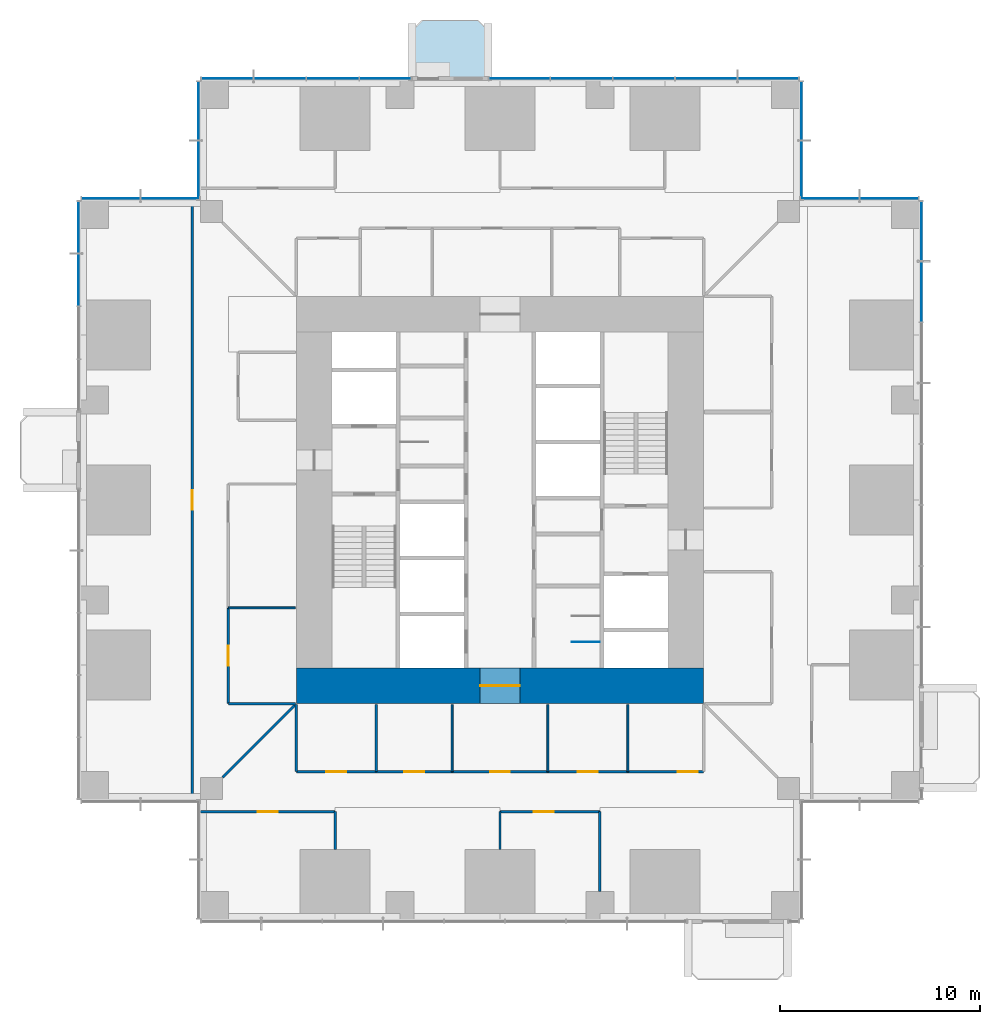
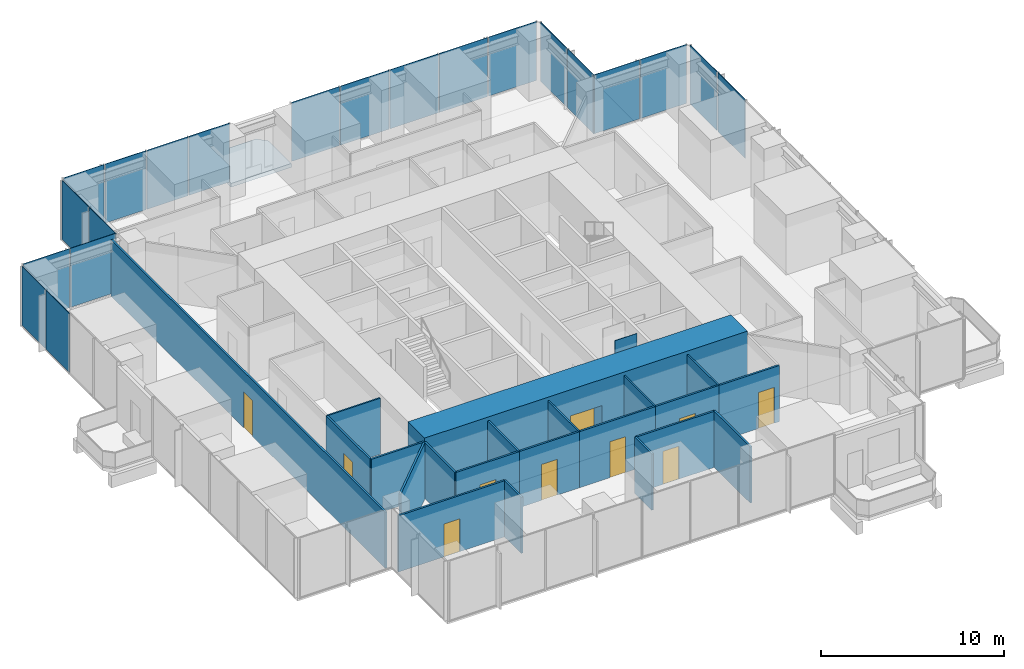
# One storey, part 9 of 15: 22 walls, 21 plates, 10 doors, 1 slab, 10 openings, 8 elements without a shape of their own.
"""IFC4 building model written with IfcOpenShell, lengths in metres."""

from ifc_helpers import new_model, si_unit, direction, frame, frame_2d, origin, origin_2d, place, context, subcontext, project, spatial, polyline, rectangle, outline, extrude, material, layer, layer_set, type_object, element, fill, aggregate, save


model = new_model("IFC4")

# Units and contexts
model_context = context("Model", 3, precision=1e-05, world=origin(), true_north=direction((0.0, 1.0)))
body_context = subcontext(model_context, "Body", "Model", "MODEL_VIEW")
ifc_project = project(units=[si_unit("LENGTHUNIT", "METRE"), si_unit("AREAUNIT", "SQUARE_METRE"), si_unit("VOLUMEUNIT", "CUBIC_METRE"), si_unit("PLANEANGLEUNIT", "RADIAN"), si_unit("MASSUNIT", "GRAM", prefix="KILO")], contexts=[model_context])

# Site, building, storey
site_placement = place(None, origin())
site = spatial("IfcSite", under=ifc_project, at=site_placement, CompositionType="ELEMENT")
building_placement = place(site_placement, origin())
building = spatial("IfcBuilding", under=site, at=building_placement, Name="Svetlomir Tower", CompositionType="ELEMENT")
storey_placement = place(building_placement, frame((0.0, 0.0, 42.5)))
storey = spatial("IfcBuildingStorey", under=building, at=storey_placement, Name="L09", CompositionType="ELEMENT", Elevation=42.5)

# Slab
ifc_material_1 = material(Name="Concrete C60/75", Category="concrete")
ifc_layer_1 = layer(ifc_material_1, 0.25)
ifc_layer_set_1 = layer_set([ifc_layer_1], Name="Concrete C60/75")
slab_type = type_object("IfcSlabType", Name="BALCONY SLAB 250", PredefinedType="FLOOR", material=ifc_layer_set_1)
slab_placement = place(storey_placement, frame((0.0, 0.0, -0.25)))
element("IfcSlab", 1, at=slab_placement, inside=storey, type_object=slab_type, Name="L09 N planted balcony", PredefinedType="FLOOR", context=body_context, shape_type="SweptSolid", body=[
    extrude(outline(polyline([(16.60009765625, 42.0), (20.39990234375, 42.0), (20.39990234375, 44.5), (19.89990234375, 45.0), (17.10009765625, 45.0), (16.60009765625, 44.5), (16.60009765625, 42.0)])), origin(), (0.0, 0.0, 1.0), 0.25),
])

# Curtain wall, plates
ifc_material_2 = material(Name="Bronze anodised aluminium curtain wall", Category="aluminium")
curtain_wall_type = type_object("IfcCurtainWallType", Name="CURTAIN WALL CW1 TOWER OFFICE", PredefinedType="NOTDEFINED", material=ifc_material_2)
curtain_wall_1_placement = place(storey_placement, origin())
curtain_wall_1 = element("IfcCurtainWall", 2, at=curtain_wall_1_placement, inside=storey, type_object=curtain_wall_type, Name="Curtain wall CW1 L09", PredefinedType="NOTDEFINED")
ifc_material_3 = material(Name="Tinted double glazed unit", Category="glass")
ifc_layer_2 = layer(ifc_material_3, 0.031982421875)
ifc_layer_set_2 = layer_set([ifc_layer_2], Name="Tinted double glazed unit")
plate_type = type_object("IfcPlateType", Name="CW1 GLAZED PANEL 32", PredefinedType="CURTAIN_PANEL", material=ifc_layer_set_2)
plate_1_placement = place(storey_placement, frame((42.10009765625, 31.425048828125, 0.06494140625), z_axis=(0.0, 0.0, 1.0), x_axis=(0.0, 1.0, 0.0)))
plate_1 = element("IfcPlate", 3, at=plate_1_placement, type_object=plate_type, Name="CW1 panel 7.1", PredefinedType="CURTAIN_PANEL", context=body_context, shape_type="SweptSolid", body=[
    extrude(rectangle(XDim=2.985107421875, YDim=0.031982421875, at=origin_2d()), origin(), (0.0, 0.0, 1.0), 3.93505859375),
])
plate_2_placement = place(storey_placement, frame((42.10009765625, 34.458740234375, 0.06494140625), z_axis=(0.0, 0.0, 1.0), x_axis=(0.0, 1.0, 0.0)))
plate_2 = element("IfcPlate", 4, at=plate_2_placement, type_object=plate_type, Name="CW1 panel 8.1", PredefinedType="CURTAIN_PANEL", context=body_context, shape_type="SweptSolid", body=[
    extrude(rectangle(XDim=2.952392578125, YDim=0.031982421875, at=origin_2d()), origin(), (0.0, 0.0, 1.0), 3.93505859375),
])
aggregate(curtain_wall_1, [plate_1, plate_2])

curtain_wall_2_placement = place(storey_placement, origin())
curtain_wall_2 = element("IfcCurtainWall", 5, at=curtain_wall_2_placement, inside=storey, type_object=curtain_wall_type, Name="Curtain wall CW1 L09", PredefinedType="NOTDEFINED")
plate_3_placement = place(storey_placement, frame((40.483642578125, 36.10009765625, 0.06494140625), z_axis=(0.0, 0.0, 1.0), x_axis=(-1.0, 0.0, 0.0)))
plate_3 = element("IfcPlate", 6, at=plate_3_placement, type_object=plate_type, Name="CW1 panel 1.1", PredefinedType="CURTAIN_PANEL", context=body_context, shape_type="SweptSolid", body=[
    extrude(rectangle(XDim=2.902587890625, YDim=0.031982421875, at=origin_2d()), origin(), (0.0, 0.0, 1.0), 3.93505859375),
])
plate_4_placement = place(storey_placement, frame((37.516357421875, 36.10009765625, 0.06494140625), z_axis=(0.0, 0.0, 1.0), x_axis=(-1.0, 0.0, 0.0)))
plate_4 = element("IfcPlate", 7, at=plate_4_placement, type_object=plate_type, Name="CW1 panel 2.1", PredefinedType="CURTAIN_PANEL", context=body_context, shape_type="SweptSolid", body=[
    extrude(rectangle(XDim=2.902587890625, YDim=0.031982421875, at=origin_2d()), origin(), (0.0, 0.0, 1.0), 3.93505859375),
])
aggregate(curtain_wall_2, [plate_3, plate_4])

curtain_wall_3_placement = place(storey_placement, origin())
curtain_wall_3 = element("IfcCurtainWall", 8, at=curtain_wall_3_placement, inside=storey, type_object=curtain_wall_type, Name="Curtain wall CW1 L09", PredefinedType="NOTDEFINED")
plate_5_placement = place(storey_placement, frame((36.10009765625, 37.516357421875, 0.06494140625), z_axis=(0.0, 0.0, 1.0), x_axis=(0.0, 1.0, 0.0)))
plate_5 = element("IfcPlate", 9, at=plate_5_placement, type_object=plate_type, Name="CW1 panel 1.1", PredefinedType="CURTAIN_PANEL", context=body_context, shape_type="SweptSolid", body=[
    extrude(rectangle(XDim=2.902587890625, YDim=0.031982421875, at=origin_2d()), origin(), (0.0, 0.0, 1.0), 3.93505859375),
])
plate_6_placement = place(storey_placement, frame((36.10009765625, 40.483642578125, 0.06494140625), z_axis=(0.0, 0.0, 1.0), x_axis=(0.0, 1.0, 0.0)))
plate_6 = element("IfcPlate", 10, at=plate_6_placement, type_object=plate_type, Name="CW1 panel 2.1", PredefinedType="CURTAIN_PANEL", context=body_context, shape_type="SweptSolid", body=[
    extrude(rectangle(XDim=2.902587890625, YDim=0.031982421875, at=origin_2d()), origin(), (0.0, 0.0, 1.0), 3.93505859375),
])
aggregate(curtain_wall_3, [plate_5, plate_6])

curtain_wall_4_placement = place(storey_placement, origin())
curtain_wall_4 = element("IfcCurtainWall", 11, at=curtain_wall_4_placement, inside=storey, type_object=curtain_wall_type, Name="Curtain wall CW1 L09", PredefinedType="NOTDEFINED")
plate_7_placement = place(storey_placement, frame((34.423828125, 42.10009765625, 0.06494140625), z_axis=(0.0, 0.0, 1.0), x_axis=(-1.0, 0.0, 0.0)))
plate_7 = element("IfcPlate", 12, at=plate_7_placement, type_object=plate_type, Name="CW1 panel 1.1", PredefinedType="CURTAIN_PANEL", context=body_context, shape_type="SweptSolid", body=[
    extrude(rectangle(XDim=3.0224609375, YDim=0.031982421875, at=origin_2d()), origin(), (0.0, 0.0, 1.0), 3.93505859375),
])
plate_8_placement = place(storey_placement, frame((31.320068359375, 42.10009765625, 0.06494140625), z_axis=(0.0, 0.0, 1.0), x_axis=(-1.0, 0.0, 0.0)))
plate_8 = element("IfcPlate", 13, at=plate_8_placement, type_object=plate_type, Name="CW1 panel 2.1", PredefinedType="CURTAIN_PANEL", context=body_context, shape_type="SweptSolid", body=[
    extrude(rectangle(XDim=3.054931640625, YDim=0.031982421875, at=origin_2d()), origin(), (0.0, 0.0, 1.0), 3.93505859375),
])
plate_9_placement = place(storey_placement, frame((28.199951171875, 42.10009765625, 0.06494140625), z_axis=(0.0, 0.0, 1.0), x_axis=(-1.0, 0.0, 0.0)))
plate_9 = element("IfcPlate", 14, at=plate_9_placement, type_object=plate_type, Name="CW1 panel 3.1", PredefinedType="CURTAIN_PANEL", context=body_context, shape_type="SweptSolid", body=[
    extrude(rectangle(XDim=3.054931640625, YDim=0.031982421875, at=origin_2d()), origin(), (0.0, 0.0, 1.0), 3.93505859375),
])
plate_10_placement = place(storey_placement, frame((25.080078125, 42.10009765625, 0.06494140625), z_axis=(0.0, 0.0, 1.0), x_axis=(-1.0, 0.0, 0.0)))
plate_10 = element("IfcPlate", 15, at=plate_10_placement, type_object=plate_type, Name="CW1 panel 4.1", PredefinedType="CURTAIN_PANEL", context=body_context, shape_type="SweptSolid", body=[
    extrude(rectangle(XDim=3.054931640625, YDim=0.031982421875, at=origin_2d()), origin(), (0.0, 0.0, 1.0), 3.93505859375),
])
plate_11_placement = place(storey_placement, frame((21.976318359375, 42.10009765625, 0.06494140625), z_axis=(0.0, 0.0, 1.0), x_axis=(-1.0, 0.0, 0.0)))
plate_11 = element("IfcPlate", 16, at=plate_11_placement, type_object=plate_type, Name="CW1 panel 5.1", PredefinedType="CURTAIN_PANEL", context=body_context, shape_type="SweptSolid", body=[
    extrude(rectangle(XDim=3.0224609375, YDim=0.031982421875, at=origin_2d()), origin(), (0.0, 0.0, 1.0), 3.93505859375),
])
aggregate(curtain_wall_4, [plate_7, plate_8, plate_9, plate_10, plate_11])

curtain_wall_5_placement = place(storey_placement, origin())
curtain_wall_5 = element("IfcCurtainWall", 17, at=curtain_wall_5_placement, inside=storey, type_object=curtain_wall_type, Name="Curtain wall CW1 L09", PredefinedType="NOTDEFINED")
plate_12_placement = place(storey_placement, frame((15.2587890625, 42.10009765625, 0.06494140625), z_axis=(0.0, 0.0, 1.0), x_axis=(-1.0, 0.0, 0.0)))
plate_12 = element("IfcPlate", 18, at=plate_12_placement, type_object=plate_type, Name="CW1 panel 1.1", PredefinedType="CURTAIN_PANEL", context=body_context, shape_type="SweptSolid", body=[
    extrude(rectangle(XDim=2.552490234375, YDim=0.031982421875, at=origin_2d()), origin(), (0.0, 0.0, 1.0), 3.93505859375),
])
plate_13_placement = place(storey_placement, frame((12.625, 42.10009765625, 0.06494140625), z_axis=(0.0, 0.0, 1.0), x_axis=(-1.0, 0.0, 0.0)))
plate_13 = element("IfcPlate", 19, at=plate_13_placement, type_object=plate_type, Name="CW1 panel 2.1", PredefinedType="CURTAIN_PANEL", context=body_context, shape_type="SweptSolid", body=[
    extrude(rectangle(XDim=2.5849609375, YDim=0.031982421875, at=origin_2d()), origin(), (0.0, 0.0, 1.0), 3.93505859375),
])
plate_14_placement = place(storey_placement, frame((9.97509765625, 42.10009765625, 0.06494140625), z_axis=(0.0, 0.0, 1.0), x_axis=(-1.0, 0.0, 0.0)))
plate_14 = element("IfcPlate", 20, at=plate_14_placement, type_object=plate_type, Name="CW1 panel 3.1", PredefinedType="CURTAIN_PANEL", context=body_context, shape_type="SweptSolid", body=[
    extrude(rectangle(XDim=2.5849609375, YDim=0.031982421875, at=origin_2d()), origin(), (0.0, 0.0, 1.0), 3.93505859375),
])
plate_15_placement = place(storey_placement, frame((7.34130859375, 42.10009765625, 0.06494140625), z_axis=(0.0, 0.0, 1.0), x_axis=(-1.0, 0.0, 0.0)))
plate_15 = element("IfcPlate", 21, at=plate_15_placement, type_object=plate_type, Name="CW1 panel 4.1", PredefinedType="CURTAIN_PANEL", context=body_context, shape_type="SweptSolid", body=[
    extrude(rectangle(XDim=2.552490234375, YDim=0.031982421875, at=origin_2d()), origin(), (0.0, 0.0, 1.0), 3.93505859375),
])
aggregate(curtain_wall_5, [plate_12, plate_13, plate_14, plate_15])

curtain_wall_6_placement = place(storey_placement, origin())
curtain_wall_6 = element("IfcCurtainWall", 22, at=curtain_wall_6_placement, inside=storey, type_object=curtain_wall_type, Name="Curtain wall CW1 L09", PredefinedType="NOTDEFINED")
plate_16_placement = place(storey_placement, frame((5.89990234375, 40.483642578125, 0.06494140625), z_axis=(0.0, 0.0, 1.0), x_axis=(0.0, -1.0, 0.0)))
plate_16 = element("IfcPlate", 23, at=plate_16_placement, type_object=plate_type, Name="CW1 panel 1.1", PredefinedType="CURTAIN_PANEL", context=body_context, shape_type="SweptSolid", body=[
    extrude(rectangle(XDim=2.902587890625, YDim=0.031982421875, at=origin_2d()), origin(), (0.0, 0.0, 1.0), 3.93505859375),
])
plate_17_placement = place(storey_placement, frame((5.89990234375, 37.516357421875, 0.06494140625), z_axis=(0.0, 0.0, 1.0), x_axis=(0.0, -1.0, 0.0)))
plate_17 = element("IfcPlate", 24, at=plate_17_placement, type_object=plate_type, Name="CW1 panel 2.1", PredefinedType="CURTAIN_PANEL", context=body_context, shape_type="SweptSolid", body=[
    extrude(rectangle(XDim=2.902587890625, YDim=0.031982421875, at=origin_2d()), origin(), (0.0, 0.0, 1.0), 3.93505859375),
])
aggregate(curtain_wall_6, [plate_16, plate_17])

curtain_wall_7_placement = place(storey_placement, origin())
curtain_wall_7 = element("IfcCurtainWall", 25, at=curtain_wall_7_placement, inside=storey, type_object=curtain_wall_type, Name="Curtain wall CW1 L09", PredefinedType="NOTDEFINED")
plate_18_placement = place(storey_placement, frame((4.483642578125, 36.10009765625, 0.06494140625), z_axis=(0.0, 0.0, 1.0), x_axis=(-1.0, 0.0, 0.0)))
plate_18 = element("IfcPlate", 26, at=plate_18_placement, type_object=plate_type, Name="CW1 panel 1.1", PredefinedType="CURTAIN_PANEL", context=body_context, shape_type="SweptSolid", body=[
    extrude(rectangle(XDim=2.902587890625, YDim=0.031982421875, at=origin_2d()), origin(), (0.0, 0.0, 1.0), 3.93505859375),
])
plate_19_placement = place(storey_placement, frame((1.516357421875, 36.10009765625, 0.06494140625), z_axis=(0.0, 0.0, 1.0), x_axis=(-1.0, 0.0, 0.0)))
plate_19 = element("IfcPlate", 27, at=plate_19_placement, type_object=plate_type, Name="CW1 panel 2.1", PredefinedType="CURTAIN_PANEL", context=body_context, shape_type="SweptSolid", body=[
    extrude(rectangle(XDim=2.902587890625, YDim=0.031982421875, at=origin_2d()), origin(), (0.0, 0.0, 1.0), 3.93505859375),
])
aggregate(curtain_wall_7, [plate_18, plate_19])

curtain_wall_8_placement = place(storey_placement, origin())
curtain_wall_8 = element("IfcCurtainWall", 28, at=curtain_wall_8_placement, inside=storey, type_object=curtain_wall_type, Name="Curtain wall CW1 L09", PredefinedType="NOTDEFINED")
plate_20_placement = place(storey_placement, frame((-0.10009765625, 34.65869140625, 0.06494140625), z_axis=(0.0, 0.0, 1.0), x_axis=(0.0, -1.0, 0.0)))
plate_20 = element("IfcPlate", 29, at=plate_20_placement, type_object=plate_type, Name="CW1 panel 1.1", PredefinedType="CURTAIN_PANEL", context=body_context, shape_type="SweptSolid", body=[
    extrude(rectangle(XDim=2.552490234375, YDim=0.031982421875, at=origin_2d()), origin(), (0.0, 0.0, 1.0), 3.93505859375),
])
plate_21_placement = place(storey_placement, frame((-0.10009765625, 32.02490234375, 0.06494140625), z_axis=(0.0, 0.0, 1.0), x_axis=(0.0, -1.0, 0.0)))
plate_21 = element("IfcPlate", 30, at=plate_21_placement, type_object=plate_type, Name="CW1 panel 2.1", PredefinedType="CURTAIN_PANEL", context=body_context, shape_type="SweptSolid", body=[
    extrude(rectangle(XDim=2.5849609375, YDim=0.031982421875, at=origin_2d()), origin(), (0.0, 0.0, 1.0), 3.93505859375),
])
aggregate(curtain_wall_8, [plate_20, plate_21])

# Wall, opening, door
ifc_material_4 = material(Name="Concrete C60/75", Category="concrete")
ifc_layer_3 = layer(ifc_material_4, 1.800048828125)
ifc_layer_set_3 = layer_set([ifc_layer_3], Name="Concrete C60/75")
wall_type_1 = type_object("IfcWallType", Name="CORE WALL 1800", PredefinedType="SHEAR", material=ifc_layer_set_3)
wall_1_placement = place(storey_placement, frame((10.800048828125, 11.699951171875, -0.050048828125), z_axis=(0.0, 0.0, 1.0), x_axis=(1.0, 0.0, 0.0)))
wall_1 = element("IfcWall", 31, at=wall_1_placement, inside=storey, type_object=wall_type_1, Name="Core wall south L09", PredefinedType="SHEAR", context=body_context, shape_type="SweptSolid", body=[
    extrude(rectangle(XDim=20.39990234375, YDim=1.800048828125, at=frame_2d((10.199951171875, 0.0))), origin(), (0.0, 0.0, 1.0), 4.0),
])
opening_1_placement = place(wall_1_placement, frame((9.199951171875, 0.0, 0.050048828125)))
opening_1 = element("IfcOpeningElement", 32, at=opening_1_placement, cuts=wall_1, Name="Opening DL", PredefinedType="OPENING", context=body_context, shape_type="SweptSolid", body=[
    extrude(rectangle(XDim=2.0, YDim=2.199951171875, at=frame_2d((1.0, 1.10009765625))), frame((0.0, 0.91015625, 0.0), z_axis=(0.0, -1.0, 0.0), x_axis=(1.0, 0.0, 0.0)), (0.0, 0.0, 1.0), 1.820068359375),
])
ifc_material_5 = material(Name="Steel fire door", Category="steel")
door_type_1 = type_object("IfcDoorType", Name="DOOR DL 2000x2200", OperationType="DOUBLE_DOOR_SINGLE_SWING", PredefinedType="DOOR", material=ifc_material_5)
door_1_placement = place(opening_1_placement, origin())
door_1 = element("IfcDoor", 33, at=door_1_placement, inside=storey, type_object=door_type_1, Name="Lift lobby south door L09", OperationType="DOUBLE_DOOR_SINGLE_SWING", OverallHeight=2.199951171875, OverallWidth=2.0, PredefinedType="DOOR", context=body_context, shape_type="SweptSolid", body=[
    extrude(rectangle(XDim=2.0, YDim=2.199951171875, at=frame_2d((1.0, 1.10009765625))), frame((0.0, 0.02490234375, 0.0), z_axis=(0.0, -1.0, 0.0), x_axis=(1.0, 0.0, 0.0)), (0.0, 0.0, 1.0), 0.050048828125),
])
fill(opening_1, door_1)

# Walls
ifc_material_6 = material(Name="Framed laminated glass partition", Category="glass")
ifc_layer_4 = layer(ifc_material_6, 0.10009765625)
ifc_layer_set_4 = layer_set([ifc_layer_4], Name="Framed laminated glass partition")
wall_type_2 = type_object("IfcWallType", Name="GLAZED PARTITION 100", PredefinedType="PARTITIONING", material=ifc_layer_set_4)
for number, where, z_axis, x_axis, name in (
    (34, (7.39990234375, 15.60009765625, 0.0), (0.0, 0.0, 1.0), (1.0, 0.0, 0.0), "Glazed partition L09"),
    (35, (18.60009765625, 7.39990234375, 0.0), (0.0, 0.0, 1.0), (0.0, 1.0, 0.0), "Glazed partition L09"),
    (36, (23.39990234375, 7.39990234375, 0.0), (0.0, 0.0, 1.0), (0.0, 1.0, 0.0), "Glazed partition L09"),
    (37, (27.39990234375, 7.39990234375, 0.0), (0.0, 0.0, 1.0), (0.0, 1.0, 0.0), "Glazed partition L09"),
):
    element("IfcWall", number, at=place(storey_placement, frame(where, z_axis=z_axis, x_axis=x_axis)), inside=storey, type_object=wall_type_2, Name=name, PredefinedType="PARTITIONING", context=body_context, shape_type="SweptSolid", body=[
        extrude(rectangle(XDim=3.35009765625, YDim=0.10009765625, at=frame_2d((1.675048828125, 0.0))), origin(), (0.0, 0.0, 1.0), 3.75),
    ])

# Wall, opening, door
ifc_material_7 = material(Name="Gypsum board on steel studs", Category="steel")
ifc_layer_5 = layer(ifc_material_7, 0.1201171875)
ifc_layer_set_5 = layer_set([ifc_layer_5], Name="Gypsum board on steel studs")
wall_type_3 = type_object("IfcWallType", Name="PARTITION 120", PredefinedType="PARTITIONING", material=ifc_layer_set_5)
wall_2_placement = place(storey_placement, frame((5.60009765625, 6.0, 0.0), z_axis=(0.0, 0.0, 1.0), x_axis=(0.0, 1.0, 0.0)))
wall_2 = element("IfcWall", 38, at=wall_2_placement, inside=storey, type_object=wall_type_3, Name="Partition L09", PredefinedType="PARTITIONING", context=body_context, shape_type="SweptSolid", body=[
    extrude(rectangle(XDim=30.0, YDim=0.1201171875, at=frame_2d((15.0, 0.0))), origin(), (0.0, 0.0, 1.0), 3.75),
])
opening_2_placement = place(wall_2_placement, frame((14.5, 0.0, 0.0)))
opening_2 = element("IfcOpeningElement", 39, at=opening_2_placement, cuts=wall_2, Name="Opening DG", PredefinedType="OPENING", context=body_context, shape_type="SweptSolid", body=[
    extrude(rectangle(XDim=1.0, YDim=2.39990234375, at=frame_2d((0.5, 1.199951171875))), frame((0.0, 0.070068359375, 0.0), z_axis=(0.0, -1.0, 0.0), x_axis=(1.0, 0.0, 0.0)), (0.0, 0.0, 1.0), 0.14013671875),
])
ifc_material_8 = material(Name="Framed laminated glass door", Category="glass")
door_type_2 = type_object("IfcDoorType", Name="GLAZED DOOR DG 1000x2400", OperationType="SINGLE_SWING_LEFT", PredefinedType="DOOR", material=ifc_material_8)
door_2_placement = place(opening_2_placement, origin())
door_2 = element("IfcDoor", 40, at=door_2_placement, inside=storey, type_object=door_type_2, Name="Ring corridor 3 door 1 L09", OperationType="SINGLE_SWING_RIGHT", OverallHeight=2.39990234375, OverallWidth=1.0, PredefinedType="DOOR", context=body_context, shape_type="SweptSolid", body=[
    extrude(rectangle(XDim=1.0, YDim=2.39990234375, at=frame_2d((0.5, 1.199951171875))), frame((0.0, 0.02490234375, 0.0), z_axis=(0.0, -1.0, 0.0), x_axis=(1.0, 0.0, 0.0)), (0.0, 0.0, 1.0), 0.050048828125),
])
fill(opening_2, door_2)

wall_3_placement = place(storey_placement, frame((6.0, 5.39990234375, 0.0), z_axis=(0.0, 0.0, 1.0), x_axis=(1.0, 0.0, 0.0)))
wall_3 = element("IfcWall", 41, at=wall_3_placement, inside=storey, type_object=wall_type_3, Name="Partition L09", PredefinedType="PARTITIONING", context=body_context, shape_type="SweptSolid", body=[
    extrude(rectangle(XDim=6.75, YDim=0.1201171875, at=frame_2d((3.375, 0.0))), origin(), (0.0, 0.0, 1.0), 3.75),
])
opening_3_placement = place(wall_3_placement, frame((2.875, 0.0, 0.0)))
opening_3 = element("IfcOpeningElement", 42, at=opening_3_placement, cuts=wall_3, Name="Opening DR", PredefinedType="OPENING", context=body_context, shape_type="SweptSolid", body=[
    extrude(rectangle(XDim=1.0, YDim=2.199951171875, at=frame_2d((0.5, 1.10009765625))), frame((0.0, 0.070068359375, 0.0), z_axis=(0.0, -1.0, 0.0), x_axis=(1.0, 0.0, 0.0)), (0.0, 0.0, 1.0), 0.14013671875),
])
ifc_material_9 = material(Name="Timber door, glazed side light", Category="wood")
door_type_3 = type_object("IfcDoorType", Name="DOOR DR 1000x2200", OperationType="SINGLE_SWING_LEFT", PredefinedType="DOOR", material=ifc_material_9)
door_3_placement = place(opening_3_placement, origin())
door_3 = element("IfcDoor", 43, at=door_3_placement, inside=storey, type_object=door_type_3, Name="Architecture team office door L09", OperationType="SINGLE_SWING_RIGHT", OverallHeight=2.199951171875, OverallWidth=1.0, PredefinedType="DOOR", context=body_context, shape_type="SweptSolid", body=[
    extrude(rectangle(XDim=1.0, YDim=2.199951171875, at=frame_2d((0.5, 1.10009765625))), frame((0.0, 0.02490234375, 0.0), z_axis=(0.0, -1.0, 0.0), x_axis=(1.0, 0.0, 0.0)), (0.0, 0.0, 1.0), 0.050048828125),
])
fill(opening_3, door_3)

# Wall
wall_4_placement = place(storey_placement, frame((7.110107421875, 7.110107421875, 0.0), z_axis=(0.0, 0.0, 1.0), x_axis=(0.707106781187, 0.707106781187, 0.0)))
element("IfcWall", 44, at=wall_4_placement, inside=storey, type_object=wall_type_3, Name="Partition L09", PredefinedType="PARTITIONING", context=body_context, shape_type="SweptSolid", body=[
    extrude(rectangle(XDim=5.168212890625, YDim=0.1201171875, at=frame_2d((2.583984375, 0.0))), origin(), (0.0, 0.0, 1.0), 3.75),
])

# Wall, opening, door
wall_5_placement = place(storey_placement, frame((7.39990234375, 10.800048828125, 0.0), z_axis=(0.0, 0.0, 1.0), x_axis=(0.0, 1.0, 0.0)))
wall_5 = element("IfcWall", 45, at=wall_5_placement, inside=storey, type_object=wall_type_3, Name="Partition L09", PredefinedType="PARTITIONING", context=body_context, shape_type="SweptSolid", body=[
    extrude(rectangle(XDim=4.800048828125, YDim=0.1201171875, at=frame_2d((2.39990234375, 0.0))), origin(), (0.0, 0.0, 1.0), 3.75),
])
opening_4_placement = place(wall_5_placement, frame((1.89990234375, 0.0, 0.0)))
opening_4 = element("IfcOpeningElement", 46, at=opening_4_placement, cuts=wall_5, Name="Opening DG", PredefinedType="OPENING", context=body_context, shape_type="SweptSolid", body=[
    extrude(rectangle(XDim=1.0, YDim=2.39990234375, at=frame_2d((0.5, 1.199951171875))), frame((0.0, 0.070068359375, 0.0), z_axis=(0.0, -1.0, 0.0), x_axis=(1.0, 0.0, 0.0)), (0.0, 0.0, 1.0), 0.14013671875),
])
door_4_placement = place(opening_4_placement, origin())
door_4 = element("IfcDoor", 47, at=door_4_placement, inside=storey, type_object=door_type_2, Name="Quiet coding room door L09", OperationType="SINGLE_SWING_LEFT", OverallHeight=2.39990234375, OverallWidth=1.0, PredefinedType="DOOR", context=body_context, shape_type="SweptSolid", body=[
    extrude(rectangle(XDim=1.0, YDim=2.39990234375, at=frame_2d((0.5, 1.199951171875))), frame((0.0, 0.02490234375, 0.0), z_axis=(0.0, -1.0, 0.0), x_axis=(1.0, 0.0, 0.0)), (0.0, 0.0, 1.0), 0.050048828125),
])
fill(opening_4, door_4)

# Walls
for number, where, z_axis, x_axis, name in (
    (48, (7.39990234375, 10.800048828125, 0.0), (0.0, 0.0, 1.0), (1.0, 0.0, 0.0), "Partition L09"),
    (49, (10.800048828125, 7.39990234375, 0.0), (0.0, 0.0, 1.0), (0.0, 1.0, 0.0), "Partition L09"),
):
    element("IfcWall", number, at=place(storey_placement, frame(where, z_axis=z_axis, x_axis=x_axis)), inside=storey, type_object=wall_type_3, Name=name, PredefinedType="PARTITIONING", context=body_context, shape_type="SweptSolid", body=[
        extrude(rectangle(XDim=3.35009765625, YDim=0.1201171875, at=frame_2d((1.675048828125, 0.0))), origin(), (0.0, 0.0, 1.0), 3.75),
    ])

# Wall, opening, door
wall_6_placement = place(storey_placement, frame((10.800048828125, 7.39990234375, 0.0), z_axis=(0.0, 0.0, 1.0), x_axis=(1.0, 0.0, 0.0)))
wall_6 = element("IfcWall", 50, at=wall_6_placement, inside=storey, type_object=wall_type_3, Name="Partition L09", PredefinedType="PARTITIONING", context=body_context, shape_type="SweptSolid", body=[
    extrude(rectangle(XDim=4.0, YDim=0.1201171875, at=frame_2d((2.0, 0.0))), origin(), (0.0, 0.0, 1.0), 3.75),
])
opening_5_placement = place(wall_6_placement, frame((1.5, 0.0, 0.0)))
opening_5 = element("IfcOpeningElement", 51, at=opening_5_placement, cuts=wall_6, Name="Opening DG", PredefinedType="OPENING", context=body_context, shape_type="SweptSolid", body=[
    extrude(rectangle(XDim=1.0, YDim=2.39990234375, at=frame_2d((0.5, 1.199951171875))), frame((0.0, 0.070068359375, 0.0), z_axis=(0.0, -1.0, 0.0), x_axis=(1.0, 0.0, 0.0)), (0.0, 0.0, 1.0), 0.14013671875),
])
door_5_placement = place(opening_5_placement, origin())
door_5 = element("IfcDoor", 52, at=door_5_placement, inside=storey, type_object=door_type_2, Name="Code review room, 4 seats door L09", OperationType="SINGLE_SWING_RIGHT", OverallHeight=2.39990234375, OverallWidth=1.0, PredefinedType="DOOR", context=body_context, shape_type="SweptSolid", body=[
    extrude(rectangle(XDim=1.0, YDim=2.39990234375, at=frame_2d((0.5, 1.199951171875))), frame((0.0, 0.02490234375, 0.0), z_axis=(0.0, -1.0, 0.0), x_axis=(1.0, 0.0, 0.0)), (0.0, 0.0, 1.0), 0.050048828125),
])
fill(opening_5, door_5)

# Walls
wall_7_placement = place(storey_placement, frame((12.75, 3.510009765625, 0.0), z_axis=(0.0, 0.0, 1.0), x_axis=(0.0, 1.0, 0.0)))
element("IfcWall", 53, at=wall_7_placement, inside=storey, type_object=wall_type_3, Name="Partition L09", PredefinedType="PARTITIONING", context=body_context, shape_type="SweptSolid", body=[
    extrude(rectangle(XDim=1.889892578125, YDim=0.1201171875, at=frame_2d((0.94482421875, 0.0))), origin(), (0.0, 0.0, 1.0), 3.75),
])
wall_8_placement = place(storey_placement, frame((14.800048828125, 7.39990234375, 0.0), z_axis=(0.0, 0.0, 1.0), x_axis=(0.0, 1.0, 0.0)))
element("IfcWall", 54, at=wall_8_placement, inside=storey, type_object=wall_type_3, Name="Partition L09", PredefinedType="PARTITIONING", context=body_context, shape_type="SweptSolid", body=[
    extrude(rectangle(XDim=3.35009765625, YDim=0.1201171875, at=frame_2d((1.675048828125, 0.0))), origin(), (0.0, 0.0, 1.0), 3.75),
])

# Wall, opening, door
wall_9_placement = place(storey_placement, frame((14.800048828125, 7.39990234375, 0.0), z_axis=(0.0, 0.0, 1.0), x_axis=(1.0, 0.0, 0.0)))
wall_9 = element("IfcWall", 55, at=wall_9_placement, inside=storey, type_object=wall_type_3, Name="Partition L09", PredefinedType="PARTITIONING", context=body_context, shape_type="SweptSolid", body=[
    extrude(rectangle(XDim=3.800048828125, YDim=0.1201171875, at=frame_2d((1.89990234375, 0.0))), origin(), (0.0, 0.0, 1.0), 3.75),
])
opening_6_placement = place(wall_9_placement, frame((1.39990234375, 0.0, 0.0)))
opening_6 = element("IfcOpeningElement", 56, at=opening_6_placement, cuts=wall_9, Name="Opening DG", PredefinedType="OPENING", context=body_context, shape_type="SweptSolid", body=[
    extrude(rectangle(XDim=1.0, YDim=2.39990234375, at=frame_2d((0.5, 1.199951171875))), frame((0.0, 0.070068359375, 0.0), z_axis=(0.0, -1.0, 0.0), x_axis=(1.0, 0.0, 0.0)), (0.0, 0.0, 1.0), 0.14013671875),
])
door_6_placement = place(opening_6_placement, origin())
door_6 = element("IfcDoor", 57, at=door_6_placement, inside=storey, type_object=door_type_2, Name="Phone rooms door L09", OperationType="SINGLE_SWING_LEFT", OverallHeight=2.39990234375, OverallWidth=1.0, PredefinedType="DOOR", context=body_context, shape_type="SweptSolid", body=[
    extrude(rectangle(XDim=1.0, YDim=2.39990234375, at=frame_2d((0.5, 1.199951171875))), frame((0.0, 0.02490234375, 0.0), z_axis=(0.0, -1.0, 0.0), x_axis=(1.0, 0.0, 0.0)), (0.0, 0.0, 1.0), 0.050048828125),
])
fill(opening_6, door_6)

wall_10_placement = place(storey_placement, frame((18.60009765625, 7.39990234375, 0.0), z_axis=(0.0, 0.0, 1.0), x_axis=(1.0, 0.0, 0.0)))
wall_10 = element("IfcWall", 58, at=wall_10_placement, inside=storey, type_object=wall_type_3, Name="Partition L09", PredefinedType="PARTITIONING", context=body_context, shape_type="SweptSolid", body=[
    extrude(rectangle(XDim=4.7998046875, YDim=0.1201171875, at=frame_2d((2.39990234375, 0.0))), origin(), (0.0, 0.0, 1.0), 3.75),
])
opening_7_placement = place(wall_10_placement, frame((1.89990234375, 0.0, 0.0)))
opening_7 = element("IfcOpeningElement", 59, at=opening_7_placement, cuts=wall_10, Name="Opening DG", PredefinedType="OPENING", context=body_context, shape_type="SweptSolid", body=[
    extrude(rectangle(XDim=1.0, YDim=2.39990234375, at=frame_2d((0.5, 1.199951171875))), frame((0.0, 0.070068359375, 0.0), z_axis=(0.0, -1.0, 0.0), x_axis=(1.0, 0.0, 0.0)), (0.0, 0.0, 1.0), 0.14013671875),
])
door_7_placement = place(opening_7_placement, origin())
door_7 = element("IfcDoor", 60, at=door_7_placement, inside=storey, type_object=door_type_2, Name="Ring corridor 1 door 3 L09", OperationType="SINGLE_SWING_LEFT", OverallHeight=2.39990234375, OverallWidth=1.0, PredefinedType="DOOR", context=body_context, shape_type="SweptSolid", body=[
    extrude(rectangle(XDim=1.0, YDim=2.39990234375, at=frame_2d((0.5, 1.199951171875))), frame((0.0, 0.02490234375, 0.0), z_axis=(0.0, -1.0, 0.0), x_axis=(1.0, 0.0, 0.0)), (0.0, 0.0, 1.0), 0.050048828125),
])
fill(opening_7, door_7)

# Wall
wall_11_placement = place(storey_placement, frame((21.0, 3.510009765625, 0.0), z_axis=(0.0, 0.0, 1.0), x_axis=(0.0, 1.0, 0.0)))
element("IfcWall", 61, at=wall_11_placement, inside=storey, type_object=wall_type_3, Name="Partition L09", PredefinedType="PARTITIONING", context=body_context, shape_type="SweptSolid", body=[
    extrude(rectangle(XDim=1.889892578125, YDim=0.1201171875, at=frame_2d((0.94482421875, 0.0))), origin(), (0.0, 0.0, 1.0), 3.75),
])

# Wall, opening, door
wall_12_placement = place(storey_placement, frame((21.0, 5.39990234375, 0.0), z_axis=(0.0, 0.0, 1.0), x_axis=(1.0, 0.0, 0.0)))
wall_12 = element("IfcWall", 62, at=wall_12_placement, inside=storey, type_object=wall_type_3, Name="Partition L09", PredefinedType="PARTITIONING", context=body_context, shape_type="SweptSolid", body=[
    extrude(rectangle(XDim=5.0, YDim=0.1201171875, at=frame_2d((2.5, 0.0))), origin(), (0.0, 0.0, 1.0), 3.75),
])
opening_8_placement = place(wall_12_placement, frame((1.699951171875, 0.0, 0.0)))
opening_8 = element("IfcOpeningElement", 63, at=opening_8_placement, cuts=wall_12, Name="Opening DR", PredefinedType="OPENING", context=body_context, shape_type="SweptSolid", body=[
    extrude(rectangle(XDim=1.0, YDim=2.199951171875, at=frame_2d((0.5, 1.10009765625))), frame((0.0, 0.070068359375, 0.0), z_axis=(0.0, -1.0, 0.0), x_axis=(1.0, 0.0, 0.0)), (0.0, 0.0, 1.0), 0.14013671875),
])
door_8_placement = place(opening_8_placement, origin())
door_8 = element("IfcDoor", 64, at=door_8_placement, inside=storey, type_object=door_type_3, Name="Head of engineering office door L09", OperationType="SINGLE_SWING_RIGHT", OverallHeight=2.199951171875, OverallWidth=1.0, PredefinedType="DOOR", context=body_context, shape_type="SweptSolid", body=[
    extrude(rectangle(XDim=1.0, YDim=2.199951171875, at=frame_2d((0.5, 1.10009765625))), frame((0.0, 0.02490234375, 0.0), z_axis=(0.0, -1.0, 0.0), x_axis=(1.0, 0.0, 0.0)), (0.0, 0.0, 1.0), 0.050048828125),
])
fill(opening_8, door_8)

wall_13_placement = place(storey_placement, frame((23.39990234375, 7.39990234375, 0.0), z_axis=(0.0, 0.0, 1.0), x_axis=(1.0, 0.0, 0.0)))
wall_13 = element("IfcWall", 65, at=wall_13_placement, inside=storey, type_object=wall_type_3, Name="Partition L09", PredefinedType="PARTITIONING", context=body_context, shape_type="SweptSolid", body=[
    extrude(rectangle(XDim=4.0, YDim=0.1201171875, at=frame_2d((2.0, 0.0))), origin(), (0.0, 0.0, 1.0), 3.75),
])
opening_9_placement = place(wall_13_placement, frame((1.5, 0.0, 0.0)))
opening_9 = element("IfcOpeningElement", 66, at=opening_9_placement, cuts=wall_13, Name="Opening DG", PredefinedType="OPENING", context=body_context, shape_type="SweptSolid", body=[
    extrude(rectangle(XDim=1.0, YDim=2.39990234375, at=frame_2d((0.5, 1.199951171875))), frame((0.0, 0.070068359375, 0.0), z_axis=(0.0, -1.0, 0.0), x_axis=(1.0, 0.0, 0.0)), (0.0, 0.0, 1.0), 0.14013671875),
])
door_9_placement = place(opening_9_placement, origin())
door_9 = element("IfcDoor", 67, at=door_9_placement, inside=storey, type_object=door_type_2, Name="Hardware workshop door L09", OperationType="SINGLE_SWING_RIGHT", OverallHeight=2.39990234375, OverallWidth=1.0, PredefinedType="DOOR", context=body_context, shape_type="SweptSolid", body=[
    extrude(rectangle(XDim=1.0, YDim=2.39990234375, at=frame_2d((0.5, 1.199951171875))), frame((0.0, 0.02490234375, 0.0), z_axis=(0.0, -1.0, 0.0), x_axis=(1.0, 0.0, 0.0)), (0.0, 0.0, 1.0), 0.050048828125),
])
fill(opening_9, door_9)

# Wall
wall_14_placement = place(storey_placement, frame((26.0, 1.409912109375, 0.0), z_axis=(0.0, 0.0, 1.0), x_axis=(0.0, 1.0, 0.0)))
element("IfcWall", 68, at=wall_14_placement, inside=storey, type_object=wall_type_3, Name="Partition L09", PredefinedType="PARTITIONING", context=body_context, shape_type="SweptSolid", body=[
    extrude(rectangle(XDim=3.989990234375, YDim=0.1201171875, at=frame_2d((1.9951171875, 0.0))), origin(), (0.0, 0.0, 1.0), 3.75),
])

# Wall, opening, door
wall_15_placement = place(storey_placement, frame((27.39990234375, 7.39990234375, 0.0), z_axis=(0.0, 0.0, 1.0), x_axis=(1.0, 0.0, 0.0)))
wall_15 = element("IfcWall", 69, at=wall_15_placement, inside=storey, type_object=wall_type_3, Name="Partition L09", PredefinedType="PARTITIONING", context=body_context, shape_type="SweptSolid", body=[
    extrude(rectangle(XDim=3.800048828125, YDim=0.1201171875, at=frame_2d((1.89990234375, 0.0))), origin(), (0.0, 0.0, 1.0), 3.75),
])
opening_10_placement = place(wall_15_placement, frame((2.5, 0.0, 0.0)))
opening_10 = element("IfcOpeningElement", 70, at=opening_10_placement, cuts=wall_15, Name="Opening DG", PredefinedType="OPENING", context=body_context, shape_type="SweptSolid", body=[
    extrude(rectangle(XDim=1.0, YDim=2.39990234375, at=frame_2d((0.5, 1.199951171875))), frame((0.0, 0.070068359375, 0.0), z_axis=(0.0, -1.0, 0.0), x_axis=(1.0, 0.0, 0.0)), (0.0, 0.0, 1.0), 0.14013671875),
])
door_10_placement = place(opening_10_placement, origin())
door_10 = element("IfcDoor", 71, at=door_10_placement, inside=storey, type_object=door_type_2, Name="Ring corridor 1 door 4 L09", OperationType="SINGLE_SWING_RIGHT", OverallHeight=2.39990234375, OverallWidth=1.0, PredefinedType="DOOR", context=body_context, shape_type="SweptSolid", body=[
    extrude(rectangle(XDim=1.0, YDim=2.39990234375, at=frame_2d((0.5, 1.199951171875))), frame((0.0, 0.02490234375, 0.0), z_axis=(0.0, -1.0, 0.0), x_axis=(1.0, 0.0, 0.0)), (0.0, 0.0, 1.0), 0.050048828125),
])
fill(opening_10, door_10)

# Wall
ifc_material_10 = material(Name="Compact laminate panel", Category="plastic")
ifc_layer_6 = layer(ifc_material_10, 0.030029296875)
ifc_layer_set_6 = layer_set([ifc_layer_6], Name="Compact laminate panel")
wall_type_4 = type_object("IfcWallType", Name="WC CUBICLE PARTITION 30", PredefinedType="PARTITIONING", material=ifc_layer_set_6)
wall_16_placement = place(storey_placement, frame((24.60009765625, 13.89990234375, 0.0), z_axis=(0.0, 0.0, 1.0), x_axis=(1.0, 0.0, 0.0)))
element("IfcWall", 72, at=wall_16_placement, inside=storey, type_object=wall_type_4, Name="WC cubicle partition L09", PredefinedType="PARTITIONING", context=body_context, shape_type="SweptSolid", body=[
    extrude(rectangle(XDim=1.39990234375, YDim=0.030029296875, at=frame_2d((0.699951171875, 0.0))), origin(), (0.0, 0.0, 1.0), 3.75),
])

save(model, "model.ifc")
